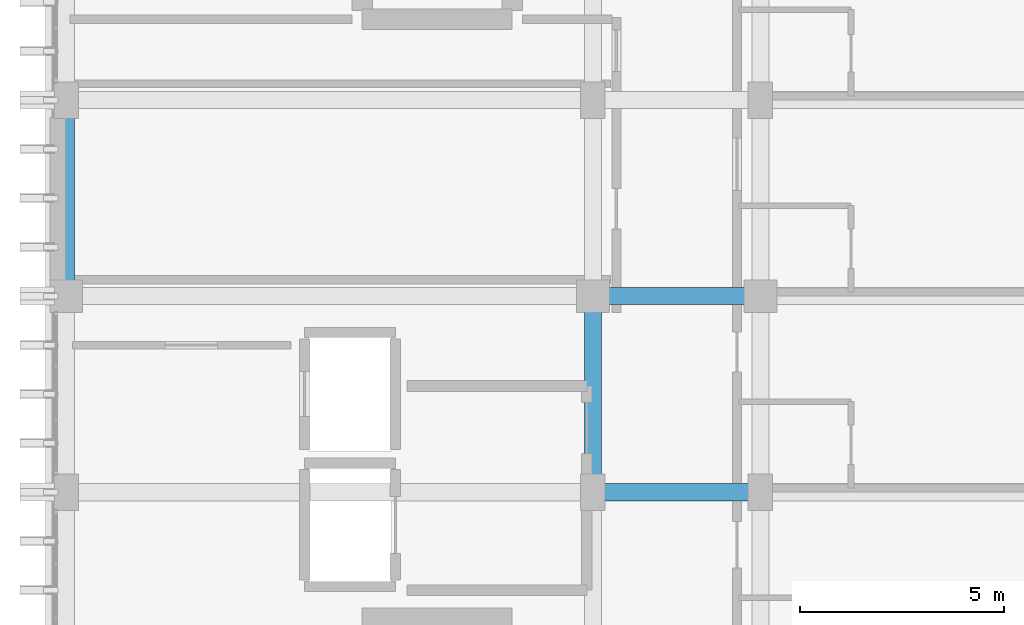
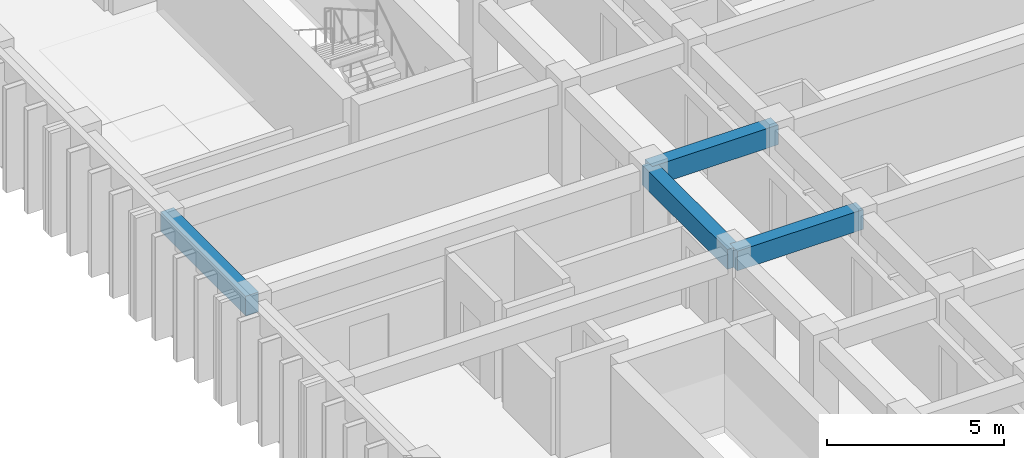
# One storey, part 38 of 82: 4 beams.
"""IFC4 building model written with IfcOpenShell, lengths in metres."""

from ifc_helpers import new_model, si_unit, direction, frame, origin, origin_2d, place, context, subcontext, project, spatial, rectangle, extrude, material, material_profile, profile_set, type_object, element, save


model = new_model("IFC4")

# Units and contexts
model_context = context("Model", 3, precision=1e-05, world=origin(), true_north=direction((0.0, 1.0)))
body_context = subcontext(model_context, "Body", "Model", "MODEL_VIEW")
ifc_project = project(units=[si_unit("LENGTHUNIT", "METRE"), si_unit("AREAUNIT", "SQUARE_METRE"), si_unit("VOLUMEUNIT", "CUBIC_METRE"), si_unit("PLANEANGLEUNIT", "RADIAN"), si_unit("MASSUNIT", "GRAM", prefix="KILO")], contexts=[model_context])

# Site, building, storey
site_placement = place(None, origin())
site = spatial("IfcSite", under=ifc_project, at=site_placement, CompositionType="ELEMENT")
building_placement = place(site_placement, origin())
building = spatial("IfcBuilding", under=site, at=building_placement, Name="Nakhvara Creek Congress Hotel", CompositionType="ELEMENT")
storey_placement = place(building_placement, frame((0.0, 0.0, 21.0)))
storey = spatial("IfcBuildingStorey", under=building, at=storey_placement, Name="L04", CompositionType="ELEMENT", Elevation=21.0)

# Beams
ifc_material = material(Name="Concrete C40/50", Category="concrete")
ifc_material_profile = material_profile(ifc_material, rectangle(XDim=0.419921875, YDim=0.679931640625, at=origin_2d()), Name="RC-BM 420x680", Category="LoadBearing")
ifc_profile_set = profile_set([ifc_material_profile], Name="Concrete C40/50")
beam_type = type_object("IfcBeamType", Name="BM-RC-420X680", PredefinedType="BEAM", material=ifc_profile_set)
beam_1_placement = place(storey_placement, frame((149.449951171875, 96.0, 3.0), z_axis=(0.0, 1.0, 0.0), x_axis=(-1.0, 0.0, 0.0)))
element("IfcBeam", 1, at=beam_1_placement, inside=storey, type_object=beam_type, Name="Beam B11-L04-1933", PredefinedType="BEAM", context=body_context, shape_type="SweptSolid", body=[
    extrude(rectangle(XDim=0.419921875, YDim=0.679931640625, at=origin_2d()), origin(), (0.0, 0.0, 1.0), 4.800048828125),
])
beam_2_placement = place(storey_placement, frame((162.35009765625, 96.0, 3.0), z_axis=(1.0, 0.0, 0.0), x_axis=(0.0, 1.0, 0.0)))
element("IfcBeam", 2, at=beam_2_placement, inside=storey, type_object=beam_type, Name="Beam B11-L04-1964", PredefinedType="BEAM", context=body_context, shape_type="SweptSolid", body=[
    extrude(rectangle(XDim=0.419921875, YDim=0.679931640625, at=origin_2d()), origin(), (0.0, 0.0, 1.0), 4.099853515625),
])
beam_3_placement = place(storey_placement, frame((162.35009765625, 91.199951171875, 3.0), z_axis=(0.0, 1.0, 0.0), x_axis=(-1.0, 0.0, 0.0)))
element("IfcBeam", 3, at=beam_3_placement, inside=storey, type_object=beam_type, Name="Beam B11-L04-1965", PredefinedType="BEAM", context=body_context, shape_type="SweptSolid", body=[
    extrude(rectangle(XDim=0.419921875, YDim=0.679931640625, at=origin_2d()), origin(), (0.0, 0.0, 1.0), 4.800048828125),
])
beam_4_placement = place(storey_placement, frame((162.35009765625, 91.199951171875, 3.0), z_axis=(1.0, 0.0, 0.0), x_axis=(0.0, 1.0, 0.0)))
element("IfcBeam", 4, at=beam_4_placement, inside=storey, type_object=beam_type, Name="Beam B11-L04-2045", PredefinedType="BEAM", context=body_context, shape_type="SweptSolid", body=[
    extrude(rectangle(XDim=0.419921875, YDim=0.679931640625, at=origin_2d()), origin(), (0.0, 0.0, 1.0), 4.099853515625),
])

save(model, "model.ifc")
